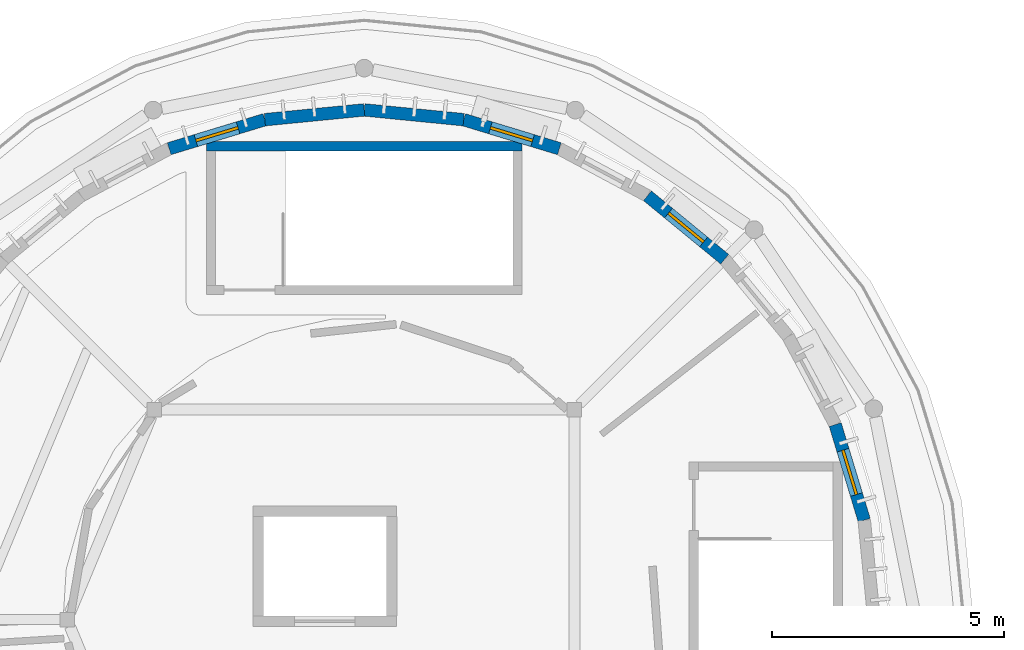
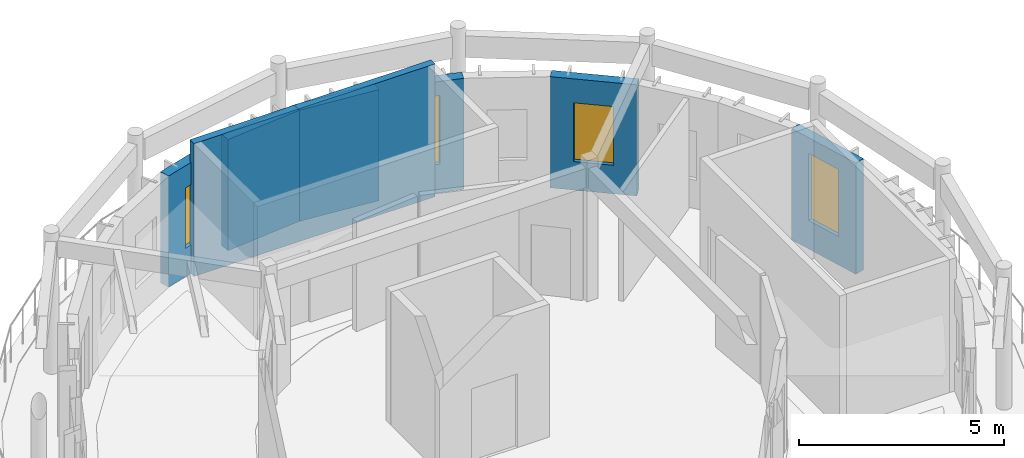
# One storey, part 26 of 37: 7 walls, 4 windows, 4 openings.
"""IFC4 building model written with IfcOpenShell, lengths in metres."""

from ifc_helpers import new_model, si_unit, direction, frame, frame_2d, origin, place, context, subcontext, project, spatial, rectangle, extrude, material, layer, layer_set, type_object, element, fill, save


model = new_model("IFC4")

# Units and contexts
model_context = context("Model", 3, precision=1e-05, world=origin(), true_north=direction((0.0, 1.0)))
body_context = subcontext(model_context, "Body", "Model", "MODEL_VIEW")
ifc_project = project(units=[si_unit("LENGTHUNIT", "METRE"), si_unit("AREAUNIT", "SQUARE_METRE"), si_unit("VOLUMEUNIT", "CUBIC_METRE"), si_unit("PLANEANGLEUNIT", "RADIAN"), si_unit("MASSUNIT", "GRAM", prefix="KILO")], contexts=[model_context])

# Site, building, storey
site_placement = place(None, origin())
site = spatial("IfcSite", under=ifc_project, at=site_placement, CompositionType="ELEMENT")
building_placement = place(site_placement, origin())
building = spatial("IfcBuilding", under=site, at=building_placement, Name="Aldenvaro Health Centre", CompositionType="ELEMENT")
storey_placement = place(building_placement, frame((0.0, 0.0, 12.949951171875)))
storey = spatial("IfcBuildingStorey", under=building, at=storey_placement, Name="L03", CompositionType="ELEMENT", Elevation=12.949951171875)

# Wall, opening, window
ifc_material_1 = material(Name="Cross-laminated timber CLT E1", Category="wood")
ifc_layer_1 = layer(ifc_material_1, 0.27001953125, Name="Cross-laminated timber CLT E1", Category="wood")
ifc_layer_set_1 = layer_set([ifc_layer_1], Name="Cross-laminated timber CLT E1")
wall_type_1 = type_object("IfcWallType", Name="WL-EXT-270", PredefinedType="ELEMENTEDWALL", material=ifc_layer_set_1)
wall_1_placement = place(storey_placement, frame((150.298095703125, 109.64404296875, 0.0), z_axis=(0.0, 0.0, 1.0), x_axis=(0.95691941216, 0.290353644083, 0.0)))
wall_1 = element("IfcWall", 1, at=wall_1_placement, inside=storey, type_object=wall_type_1, Name="D2 L03 exterior wall 22", PredefinedType="ELEMENTEDWALL", context=body_context, shape_type="SweptSolid", body=[
    extrude(rectangle(XDim=2.152587890625, YDim=0.27001953125, at=frame_2d((1.076171875, 0.0))), origin(), (0.0, 0.0, 1.0), 3.31396484375),
])
opening_1_placement = place(wall_1_placement, frame((0.60107421875, 0.0, 0.85009765625)))
opening_1 = element("IfcOpeningElement", 2, at=opening_1_placement, cuts=wall_1, Name="Opening W-11", PredefinedType="OPENING", context=body_context, shape_type="SweptSolid", body=[
    extrude(rectangle(XDim=0.949951171875, YDim=1.800048828125, at=frame_2d((0.47509765625, 0.89990234375))), frame((0.0, 0.14501953125, 0.0), z_axis=(0.0, -1.0, 0.0), x_axis=(1.0, 0.0, 0.0)), (0.0, 0.0, 1.0), 0.2900390625),
])
ifc_material_2 = material(Name="Thermally Broken Aluminium Low-E Glass", Category="aluminium")
window_type_1 = type_object("IfcWindowType", Name="WN-EXT-11", PartitioningType="SINGLE_PANEL", PredefinedType="WINDOW", material=ifc_material_2)
window_1_placement = place(opening_1_placement, origin())
window_1 = element("IfcWindow", 3, at=window_1_placement, inside=storey, type_object=window_type_1, Name="D2 L03 clinical window 22", OverallHeight=1.800048828125, OverallWidth=0.949951171875, PartitioningType="SINGLE_PANEL", PredefinedType="WINDOW", context=body_context, shape_type="SweptSolid", body=[
    extrude(rectangle(XDim=0.949951171875, YDim=1.800048828125, at=frame_2d((0.47509765625, 0.89990234375))), frame((0.0, 0.030029296875, 0.0), z_axis=(0.0, -1.0, 0.0), x_axis=(1.0, 0.0, 0.0)), (0.0, 0.0, 1.0), 0.06005859375),
])
fill(opening_1, window_1)

# Walls
for number, where, z_axis, x_axis, name in (
    (4, (152.35791015625, 110.26904296875, 0.0), (0.0, 0.0, 1.0), (0.995186536277, 0.097998765368, 0.0), "D2 L03 exterior wall 23"),
    (5, (154.5, 110.47998046875, 0.0), (0.0, 0.0, 1.0), (0.995186536277, -0.097998765368, 0.0), "D2 L03 exterior wall 24"),
):
    element("IfcWall", number, at=place(storey_placement, frame(where, z_axis=z_axis, x_axis=x_axis)), inside=storey, type_object=wall_type_1, Name=name, PredefinedType="ELEMENTEDWALL", context=body_context, shape_type="SweptSolid", body=[
        extrude(rectangle(XDim=2.15234375, YDim=0.27001953125, at=frame_2d((1.076171875, 0.0))), origin(), (0.0, 0.0, 1.0), 3.31396484375),
    ])

# Wall, opening, window
wall_2_placement = place(storey_placement, frame((156.64208984375, 110.26904296875, 0.0), z_axis=(0.0, 0.0, 1.0), x_axis=(0.95691941216, -0.290353644083, 0.0)))
wall_2 = element("IfcWall", 6, at=wall_2_placement, inside=storey, type_object=wall_type_1, Name="D2 L03 exterior wall 25", PredefinedType="ELEMENTEDWALL", context=body_context, shape_type="SweptSolid", body=[
    extrude(rectangle(XDim=2.152587890625, YDim=0.27001953125, at=frame_2d((1.076171875, 0.0))), origin(), (0.0, 0.0, 1.0), 3.31396484375),
])
opening_2_placement = place(wall_2_placement, frame((0.60107421875, 0.0, 0.85009765625)))
opening_2 = element("IfcOpeningElement", 7, at=opening_2_placement, cuts=wall_2, Name="Opening W-12", PredefinedType="OPENING", context=body_context, shape_type="SweptSolid", body=[
    extrude(rectangle(XDim=0.949951171875, YDim=2.050048828125, at=frame_2d((0.47509765625, 1.02490234375))), frame((0.0, 0.14501953125, 0.0), z_axis=(0.0, -1.0, 0.0), x_axis=(1.0, 0.0, 0.0)), (0.0, 0.0, 1.0), 0.2900390625),
])
window_type_2 = type_object("IfcWindowType", Name="WN-EXT-12", PartitioningType="SINGLE_PANEL", PredefinedType="WINDOW", material=ifc_material_2)
window_2_placement = place(opening_2_placement, origin())
window_2 = element("IfcWindow", 8, at=window_2_placement, inside=storey, type_object=window_type_2, Name="D2 L03 clinical window 25", OverallHeight=2.050048828125, OverallWidth=0.949951171875, PartitioningType="SINGLE_PANEL", PredefinedType="WINDOW", context=body_context, shape_type="SweptSolid", body=[
    extrude(rectangle(XDim=0.949951171875, YDim=2.050048828125, at=frame_2d((0.47509765625, 1.02490234375))), frame((0.0, 0.030029296875, 0.0), z_axis=(0.0, -1.0, 0.0), x_axis=(1.0, 0.0, 0.0)), (0.0, 0.0, 1.0), 0.06005859375),
])
fill(opening_2, window_2)

wall_3_placement = place(storey_placement, frame((160.60009765625, 108.6298828125, 0.0), z_axis=(0.0, 0.0, 1.0), x_axis=(0.772895091045, -0.634533827498, 0.0)))
wall_3 = element("IfcWall", 9, at=wall_3_placement, inside=storey, type_object=wall_type_1, Name="D2 L03 exterior wall 27", PredefinedType="ELEMENTEDWALL", context=body_context, shape_type="SweptSolid", body=[
    extrude(rectangle(XDim=2.152587890625, YDim=0.27001953125, at=frame_2d((1.076171875, 0.0))), origin(), (0.0, 0.0, 1.0), 3.31396484375),
])
opening_3_placement = place(wall_3_placement, frame((0.5859375, 0.0, 0.85009765625)))
opening_3 = element("IfcOpeningElement", 10, at=opening_3_placement, cuts=wall_3, Name="Opening W-14", PredefinedType="OPENING", context=body_context, shape_type="SweptSolid", body=[
    extrude(rectangle(XDim=0.97998046875, YDim=1.75, at=frame_2d((0.489990234375, 0.875))), frame((0.0, 0.14501953125, 0.0), z_axis=(0.0, -1.0, 0.0), x_axis=(1.0, 0.0, 0.0)), (0.0, 0.0, 1.0), 0.2900390625),
])
window_type_3 = type_object("IfcWindowType", Name="WN-EXT-14", PartitioningType="SINGLE_PANEL", PredefinedType="WINDOW", material=ifc_material_2)
window_3_placement = place(opening_3_placement, origin())
window_3 = element("IfcWindow", 11, at=window_3_placement, inside=storey, type_object=window_type_3, Name="D2 L03 clinical window 27", OverallHeight=1.75, OverallWidth=0.97998046875, PartitioningType="SINGLE_PANEL", PredefinedType="WINDOW", context=body_context, shape_type="SweptSolid", body=[
    extrude(rectangle(XDim=0.97998046875, YDim=1.75, at=frame_2d((0.489990234375, 0.875))), frame((0.0, 0.030029296875, 0.0), z_axis=(0.0, -1.0, 0.0), x_axis=(1.0, 0.0, 0.0)), (0.0, 0.0, 1.0), 0.06005859375),
])
fill(opening_3, window_3)

wall_4_placement = place(storey_placement, frame((164.64404296875, 103.701904296875, 0.0), z_axis=(0.0, 0.0, 1.0), x_axis=(0.290353644083, -0.95691941216, 0.0)))
wall_4 = element("IfcWall", 12, at=wall_4_placement, inside=storey, type_object=wall_type_1, Name="D2 L03 exterior wall 30", PredefinedType="ELEMENTEDWALL", context=body_context, shape_type="SweptSolid", body=[
    extrude(rectangle(XDim=2.152587890625, YDim=0.27001953125, at=frame_2d((1.076171875, 0.0))), origin(), (0.0, 0.0, 1.0), 3.31396484375),
])
opening_4_placement = place(wall_4_placement, frame((0.575927734375, 0.0, 0.85009765625)))
opening_4 = element("IfcOpeningElement", 13, at=opening_4_placement, cuts=wall_4, Name="Opening W-17", PredefinedType="OPENING", context=body_context, shape_type="SweptSolid", body=[
    extrude(rectangle(XDim=1.0, YDim=2.0, at=frame_2d((0.5, 1.0))), frame((0.0, 0.14501953125, 0.0), z_axis=(0.0, -1.0, 0.0), x_axis=(1.0, 0.0, 0.0)), (0.0, 0.0, 1.0), 0.2900390625),
])
window_type_4 = type_object("IfcWindowType", Name="WN-EXT-17", PartitioningType="SINGLE_PANEL", PredefinedType="WINDOW", material=ifc_material_2)
window_4_placement = place(opening_4_placement, origin())
window_4 = element("IfcWindow", 14, at=window_4_placement, inside=storey, type_object=window_type_4, Name="D2 L03 clinical window 30", OverallHeight=2.0, OverallWidth=1.0, PartitioningType="SINGLE_PANEL", PredefinedType="WINDOW", context=body_context, shape_type="SweptSolid", body=[
    extrude(rectangle(XDim=1.0, YDim=2.0, at=frame_2d((0.5, 1.0))), frame((0.0, 0.030029296875, 0.0), z_axis=(0.0, -1.0, 0.0), x_axis=(1.0, 0.0, 0.0)), (0.0, 0.0, 1.0), 0.06005859375),
])
fill(opening_4, window_4)

# Wall
ifc_material_3 = material(Name="Concrete f'c 40 MPa", Category="concrete")
ifc_layer_2 = layer(ifc_material_3, 0.199951171875, Name="Concrete f'c 40 MPa", Category="concrete")
ifc_layer_set_2 = layer_set([ifc_layer_2], Name="Concrete f'c 40 MPa")
wall_type_2 = type_object("IfcWallType", Name="WL-SHAFT-200", PredefinedType="SHEAR", material=ifc_layer_set_2)
wall_5_placement = place(storey_placement, frame((151.10009765625, 109.699951171875, 0.0), z_axis=(0.0, 0.0, 1.0), x_axis=(1.0, 0.0, 0.0)))
element("IfcWall", 15, at=wall_5_placement, inside=storey, type_object=wall_type_2, Name="ST-04 L03 core wall OUT", PredefinedType="SHEAR", context=body_context, shape_type="SweptSolid", body=[
    extrude(rectangle(XDim=6.7998046875, YDim=0.199951171875, at=frame_2d((3.39990234375, 0.0))), origin(), (0.0, 0.0, 1.0), 3.9599609375),
])

save(model, "model.ifc")
